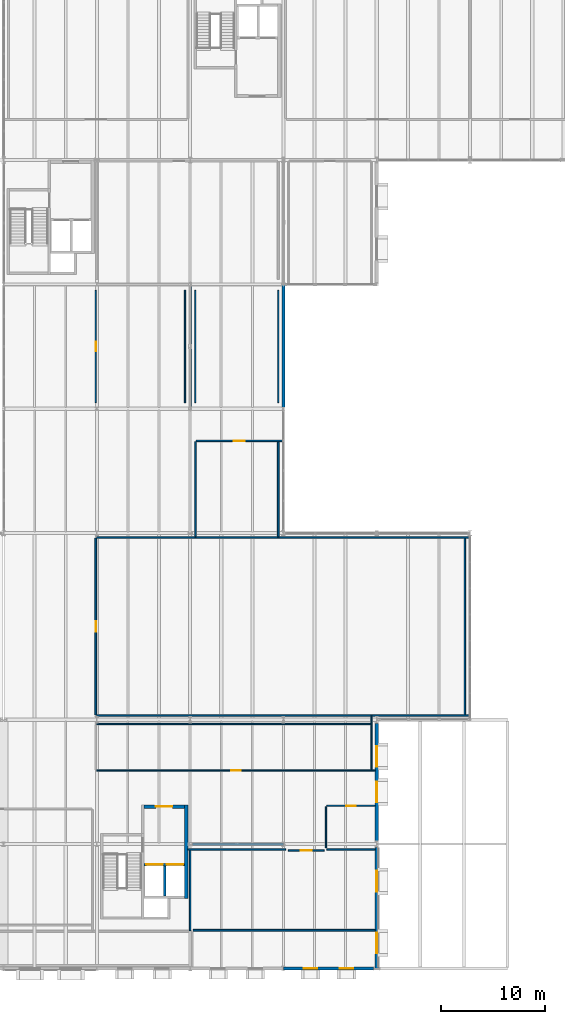
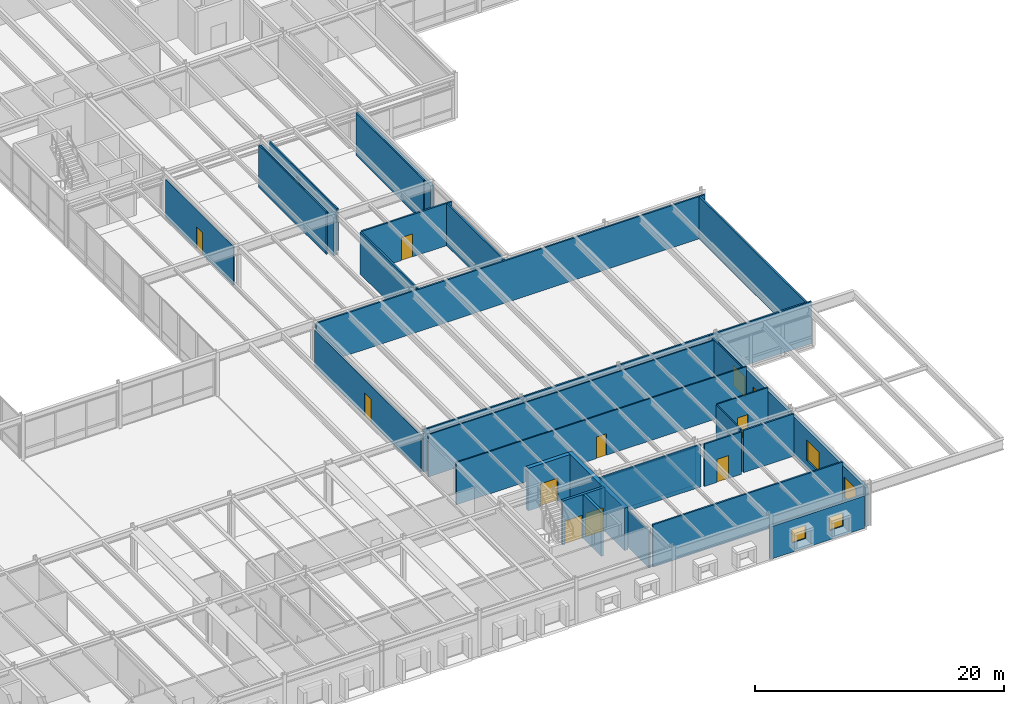
# One storey, part 106 of 115: 31 walls, 9 doors, 6 windows, 15 openings.
"""IFC4 building model written with IfcOpenShell, lengths in metres."""

from ifc_helpers import new_model, si_unit, direction, frame, frame_2d, origin, place, context, subcontext, project, spatial, rectangle, extrude, material, layer, layer_set, type_object, element, fill, save


model = new_model("IFC4")

# Units and contexts
model_context = context("Model", 3, precision=1e-05, world=origin(), true_north=direction((0.0, 1.0)))
body_context = subcontext(model_context, "Body", "Model", "MODEL_VIEW")
ifc_project = project(units=[si_unit("LENGTHUNIT", "METRE"), si_unit("AREAUNIT", "SQUARE_METRE"), si_unit("VOLUMEUNIT", "CUBIC_METRE"), si_unit("PLANEANGLEUNIT", "RADIAN"), si_unit("MASSUNIT", "GRAM", prefix="KILO")], contexts=[model_context])

# Site, building, storey
site_placement = place(None, origin())
site = spatial("IfcSite", under=ifc_project, at=site_placement, CompositionType="ELEMENT")
building_placement = place(site_placement, origin())
building = spatial("IfcBuilding", under=site, at=building_placement, Name="Montelvaro Courts of Justice", CompositionType="ELEMENT")
storey_placement = place(building_placement, frame((0.0, 0.0, 9.89990234375)))
storey = spatial("IfcBuildingStorey", under=building, at=storey_placement, Name="L02", CompositionType="ELEMENT", Elevation=9.89990234375)

# Wall
ifc_material_1 = material(Name="Gypsum board on metal stud")
ifc_layer_1 = layer(ifc_material_1, 0.14990234375)
ifc_layer_set_1 = layer_set([ifc_layer_1], Name="Gypsum board on metal stud")
wall_type_1 = type_object("IfcWallType", Name="ChambersPartition_150", PredefinedType="PARTITIONING", material=ifc_layer_set_1)
wall_1_placement = place(storey_placement, frame((143.925048828125, 24.39990234375, 0.0), z_axis=(0.0, 0.0, 1.0), x_axis=(-1.0, 0.0, 0.0)))
element("IfcWall", 1, at=wall_1_placement, inside=storey, type_object=wall_type_1, Name="Interior Partition IW-04 (L02)", PredefinedType="PARTITIONING", context=body_context, shape_type="SweptSolid", body=[
    extrude(rectangle(XDim=35.945068359375, YDim=0.14990234375, at=frame_2d((17.97265625, 0.0))), origin(), (0.0, 0.0, 1.0), 4.14013671875),
])

# Wall, opening, door
wall_2_placement = place(storey_placement, frame((107.89990234375, 24.47998046875, 0.0), z_axis=(0.0, 0.0, 1.0), x_axis=(0.0, 1.0, 0.0)))
wall_2 = element("IfcWall", 2, at=wall_2_placement, inside=storey, type_object=wall_type_1, Name="Interior Partition IW-04 (L02)", PredefinedType="PARTITIONING", context=body_context, shape_type="SweptSolid", body=[
    extrude(rectangle(XDim=17.0400390625, YDim=0.14990234375, at=frame_2d((8.52001953125, 0.0))), origin(), (0.0, 0.0, 1.0), 3.545166015625),
])
opening_1_placement = place(wall_2_placement, frame((7.9951171875, 0.0, 0.0)))
opening_1 = element("IfcOpeningElement", 3, at=opening_1_placement, cuts=wall_2, Name="Opening D-L02-093", PredefinedType="OPENING", context=body_context, shape_type="SweptSolid", body=[
    extrude(rectangle(XDim=1.050048828125, YDim=2.25, at=frame_2d((0.52490234375, 1.125))), frame((0.0, 0.08984375, 0.0), z_axis=(0.0, -1.0, 0.0), x_axis=(1.0, 0.0, 0.0)), (0.0, 0.0, 1.0), 0.1796875),
])
ifc_material_2 = material(Name="Acoustic oak timber veneer", Category="wood")
door_type_1 = type_object("IfcDoorType", Name="ChamberDoor_105x225", OperationType="NOTDEFINED", PredefinedType="DOOR", material=ifc_material_2)
door_1_placement = place(opening_1_placement, frame((1.050048828125, 0.0, 0.0), z_axis=(0.0, 0.0, 1.0), x_axis=(-1.0, 0.0, 0.0)))
door_1 = element("IfcDoor", 4, at=door_1_placement, inside=storey, type_object=door_type_1, Name="Interior Door D-L02-093 (Family Mediation Suite L02)", OperationType="SINGLE_SWING_LEFT", OverallHeight=2.25, OverallWidth=1.050048828125, PredefinedType="DOOR", context=body_context, shape_type="SweptSolid", body=[
    extrude(rectangle(XDim=1.050048828125, YDim=2.25, at=frame_2d((0.52490234375, 1.125))), frame((0.0, 0.02490234375, 0.0), z_axis=(0.0, -1.0, 0.0), x_axis=(1.0, 0.0, 0.0)), (0.0, 0.0, 1.0), 0.050048828125),
])
fill(opening_1, door_1)

# Walls
wall_3_placement = place(storey_placement, frame((107.97998046875, 41.60009765625, 0.0), z_axis=(0.0, 0.0, 1.0), x_axis=(1.0, 0.0, 0.0)))
element("IfcWall", 5, at=wall_3_placement, inside=storey, type_object=wall_type_1, Name="Interior Partition IW-04 (L02)", PredefinedType="PARTITIONING", context=body_context, shape_type="SweptSolid", body=[
    extrude(rectangle(XDim=36.011962890625, YDim=0.14990234375, at=frame_2d((18.005859375, 0.0))), origin(), (0.0, 0.0, 1.0), 4.14013671875),
])
wall_4_placement = place(storey_placement, frame((143.5, 41.530029296875, 0.0), z_axis=(0.0, 0.0, 1.0), x_axis=(0.0, -1.0, 0.0)))
element("IfcWall", 6, at=wall_4_placement, inside=storey, type_object=wall_type_1, Name="Interior Partition IW-04 (L02)", PredefinedType="PARTITIONING", context=body_context, shape_type="SweptSolid", body=[
    extrude(rectangle(XDim=17.06005859375, YDim=0.14990234375, at=frame_2d((8.530029296875, 0.0))), origin(), (0.0, 0.0, 1.0), 4.14013671875),
])
for number, where, z_axis, x_axis, name in (
    (7, (125.5, 50.820068359375, 0.0), (0.0, 0.0, 1.0), (0.0, -1.0, 0.0), "Interior Partition IW-04 (L02)"),
    (8, (117.5, 41.669921875, 0.0), (0.0, 0.0, 1.0), (0.0, 1.0, 0.0), "Interior Partition IW-04 (L02)"),
):
    element("IfcWall", number, at=place(storey_placement, frame(where, z_axis=z_axis, x_axis=x_axis)), inside=storey, type_object=wall_type_1, Name=name, PredefinedType="PARTITIONING", context=body_context, shape_type="SweptSolid", body=[
        extrude(rectangle(XDim=9.150146484375, YDim=0.14990234375, at=frame_2d((4.5751953125, 0.0))), origin(), (0.0, 0.0, 1.0), 4.14013671875),
    ])

# Wall, opening, door
wall_5_placement = place(storey_placement, frame((117.580078125, 50.89990234375, 0.0), z_axis=(0.0, 0.0, 1.0), x_axis=(1.0, 0.0, 0.0)))
wall_5 = element("IfcWall", 9, at=wall_5_placement, inside=storey, type_object=wall_type_1, Name="Interior Partition IW-04 (L02)", PredefinedType="PARTITIONING", context=body_context, shape_type="SweptSolid", body=[
    extrude(rectangle(XDim=8.344970703125, YDim=0.14990234375, at=frame_2d((4.17236328125, 0.0))), origin(), (0.0, 0.0, 1.0), 4.14013671875),
])
opening_2_placement = place(wall_5_placement, frame((3.64697265625, 0.0, 0.0)))
opening_2 = element("IfcOpeningElement", 10, at=opening_2_placement, cuts=wall_5, Name="Opening D-L02-095", PredefinedType="OPENING", context=body_context, shape_type="SweptSolid", body=[
    extrude(rectangle(XDim=1.050048828125, YDim=2.25, at=frame_2d((0.52490234375, 1.125))), frame((0.0, 0.08984375, 0.0), z_axis=(0.0, -1.0, 0.0), x_axis=(1.0, 0.0, 0.0)), (0.0, 0.0, 1.0), 0.1796875),
])
door_2_placement = place(opening_2_placement, frame((1.050048828125, 0.0, 0.0), z_axis=(0.0, 0.0, 1.0), x_axis=(-1.0, 0.0, 0.0)))
door_2 = element("IfcDoor", 11, at=door_2_placement, inside=storey, type_object=door_type_1, Name="Interior Door D-L02-095 (Bar Association Robing Room L02)", OperationType="SINGLE_SWING_LEFT", OverallHeight=2.25, OverallWidth=1.050048828125, PredefinedType="DOOR", context=body_context, shape_type="SweptSolid", body=[
    extrude(rectangle(XDim=1.050048828125, YDim=2.25, at=frame_2d((0.52490234375, 1.125))), frame((0.0, 0.02490234375, 0.0), z_axis=(0.0, -1.0, 0.0), x_axis=(1.0, 0.0, 0.0)), (0.0, 0.0, 1.0), 0.050048828125),
])
fill(opening_2, door_2)

# Walls
wall_6_placement = place(storey_placement, frame((130.179931640625, 11.5, 0.0), z_axis=(0.0, 0.0, 1.0), x_axis=(1.0, 0.0, 0.0)))
element("IfcWall", 12, at=wall_6_placement, inside=storey, type_object=wall_type_1, Name="Interior Partition IW-04 (L02)", PredefinedType="PARTITIONING", context=body_context, shape_type="SweptSolid", body=[
    extrude(rectangle(XDim=4.675048828125, YDim=0.14990234375, at=frame_2d((2.33740234375, 0.0))), origin(), (0.0, 0.0, 1.0), 4.14013671875),
])
wall_7_placement = place(storey_placement, frame((134.85498046875, 3.699951171875, 0.0), z_axis=(0.0, 0.0, 1.0), x_axis=(-1.0, 0.0, 0.0)))
element("IfcWall", 13, at=wall_7_placement, inside=storey, type_object=wall_type_1, Name="Interior Partition IW-04 (L02)", PredefinedType="PARTITIONING", context=body_context, shape_type="SweptSolid", body=[
    extrude(rectangle(XDim=17.574951171875, YDim=0.14990234375, at=frame_2d((8.78759765625, 0.0))), origin(), (0.0, 0.0, 1.0), 4.14013671875),
])
wall_8_placement = place(storey_placement, frame((117.0, 3.669921875, 0.0), z_axis=(0.0, 0.0, 1.0), x_axis=(0.0, 1.0, 0.0)))
element("IfcWall", 14, at=wall_8_placement, inside=storey, type_object=wall_type_1, Name="Interior Partition IW-04 (L02)", PredefinedType="PARTITIONING", context=body_context, shape_type="SweptSolid", body=[
    extrude(rectangle(XDim=7.75, YDim=0.14990234375, at=frame_2d((3.875, 0.0))), origin(), (0.0, 0.0, 1.0), 3.625),
])
wall_9_placement = place(storey_placement, frame((116.794921875, 11.5, 0.0), z_axis=(0.0, 0.0, 1.0), x_axis=(1.0, 0.0, 0.0)))
element("IfcWall", 15, at=wall_9_placement, inside=storey, type_object=wall_type_1, Name="Interior Partition IW-04 (L02)", PredefinedType="PARTITIONING", context=body_context, shape_type="SweptSolid", body=[
    extrude(rectangle(XDim=9.425048828125, YDim=0.14990234375, at=frame_2d((4.71240234375, 0.0))), origin(), (0.0, 0.0, 1.0), 4.14013671875),
])

# Wall, opening, door
wall_10_placement = place(storey_placement, frame((126.47998046875, 11.39990234375, 0.0), z_axis=(0.0, 0.0, 1.0), x_axis=(1.0, 0.0, 0.0)))
wall_10 = element("IfcWall", 16, at=wall_10_placement, inside=storey, type_object=wall_type_1, Name="Interior Partition IW-04 (L02)", PredefinedType="PARTITIONING", context=body_context, shape_type="SweptSolid", body=[
    extrude(rectangle(XDim=3.43994140625, YDim=0.14990234375, at=frame_2d((1.719970703125, 0.0))), origin(), (0.0, 0.0, 1.0), 4.14013671875),
])
opening_3_placement = place(wall_10_placement, frame((1.195068359375, 0.0, 0.0)))
opening_3 = element("IfcOpeningElement", 17, at=opening_3_placement, cuts=wall_10, Name="Opening D-L02-100", PredefinedType="OPENING", context=body_context, shape_type="SweptSolid", body=[
    extrude(rectangle(XDim=1.050048828125, YDim=2.25, at=frame_2d((0.52490234375, 1.125))), frame((0.0, 0.08984375, 0.0), z_axis=(0.0, -1.0, 0.0), x_axis=(1.0, 0.0, 0.0)), (0.0, 0.0, 1.0), 0.1796875),
])
door_3_placement = place(opening_3_placement, origin())
door_3 = element("IfcDoor", 18, at=door_3_placement, inside=storey, type_object=door_type_1, Name="Interior Door D-L02-100 (Civil Magistrates' Chambers L02)", OperationType="SINGLE_SWING_LEFT", OverallHeight=2.25, OverallWidth=1.050048828125, PredefinedType="DOOR", context=body_context, shape_type="SweptSolid", body=[
    extrude(rectangle(XDim=1.050048828125, YDim=2.25, at=frame_2d((0.52490234375, 1.125))), frame((0.0, 0.02490234375, 0.0), z_axis=(0.0, -1.0, 0.0), x_axis=(1.0, 0.0, 0.0)), (0.0, 0.0, 1.0), 0.050048828125),
])
fill(opening_3, door_3)

ifc_material_3 = material(Name="Concrete C40/50", Category="concrete")
ifc_layer_2 = layer(ifc_material_3, 0.360107421875)
ifc_layer_set_2 = layer_set([ifc_layer_2], Name="Concrete C40/50")
wall_type_2 = type_object("IfcWallType", Name="CoreWall_360", PredefinedType="SHEAR", material=ifc_layer_set_2)
wall_11_placement = place(storey_placement, frame((112.5400390625, 15.6201171875, 0.0), z_axis=(0.0, 0.0, 1.0), x_axis=(1.0, 0.0, 0.0)))
wall_11 = element("IfcWall", 19, at=wall_11_placement, inside=storey, type_object=wall_type_2, Name="Core Shear Wall CW-01 K2-N (L02)", PredefinedType="SHEAR", context=body_context, shape_type="SweptSolid", body=[
    extrude(rectangle(XDim=3.89990234375, YDim=0.360107421875, at=frame_2d((1.949951171875, 0.0))), origin(), (0.0, 0.0, 1.0), 4.16015625),
])
opening_4_placement = place(wall_11_placement, frame((1.14990234375, 0.0, 0.0)))
opening_4 = element("IfcOpeningElement", 20, at=opening_4_placement, cuts=wall_11, Name="Opening DL-L02-K2", PredefinedType="OPENING", context=body_context, shape_type="SweptSolid", body=[
    extrude(rectangle(XDim=1.60009765625, YDim=2.25, at=frame_2d((0.800048828125, 1.125))), frame((0.0, 0.19482421875, 0.0), z_axis=(0.0, -1.0, 0.0), x_axis=(1.0, 0.0, 0.0)), (0.0, 0.0, 1.0), 0.389892578125),
])
ifc_material_4 = material(Name="Galvanised steel S355 security door", Category="steel")
door_type_2 = type_object("IfcDoorType", Name="LobbyFireDoor_160x225", OperationType="DOUBLE_DOOR_SINGLE_SWING", PredefinedType="DOOR", material=ifc_material_4)
door_4_placement = place(opening_4_placement, origin())
door_4 = element("IfcDoor", 21, at=door_4_placement, inside=storey, type_object=door_type_2, Name="Core Lobby Fire Door DL-L02-K2", OperationType="DOUBLE_DOOR_SINGLE_SWING", OverallHeight=2.25, OverallWidth=1.60009765625, PredefinedType="DOOR", context=body_context, shape_type="SweptSolid", body=[
    extrude(rectangle(XDim=1.60009765625, YDim=2.25, at=frame_2d((0.800048828125, 1.125))), frame((0.0, 0.02490234375, 0.0), z_axis=(0.0, -1.0, 0.0), x_axis=(1.0, 0.0, 0.0)), (0.0, 0.0, 1.0), 0.050048828125),
])
fill(opening_4, door_4)

# Walls
wall_12_placement = place(storey_placement, frame((116.6201171875, 6.760009765625, 0.0), z_axis=(0.0, 0.0, 1.0), x_axis=(0.0, 1.0, 0.0)))
element("IfcWall", 22, at=wall_12_placement, inside=storey, type_object=wall_type_2, Name="Core Shear Wall CW-01 K2-E (L02)", PredefinedType="SHEAR", context=body_context, shape_type="SweptSolid", body=[
    extrude(rectangle(XDim=9.0400390625, YDim=0.360107421875, at=frame_2d((4.52001953125, 0.0))), origin(), (0.0, 0.0, 1.0), 4.16015625),
])
ifc_material_5 = material(Name="White mineral precast concrete C45/55", Category="concrete")
ifc_layer_3 = layer(ifc_material_5, 0.300048828125)
ifc_layer_set_3 = layer_set([ifc_layer_3], Name="White mineral precast concrete C45/55")
wall_type_3 = type_object("IfcWallType", Name="ExtWall_GFRC_300", PredefinedType="SOLIDWALL", material=ifc_layer_set_3)
wall_13_placement = place(storey_placement, frame((126.0, 54.137939453125, 0.0), z_axis=(0.0, 0.0, 1.0), x_axis=(0.0, 1.0, 0.0)))
element("IfcWall", 23, at=wall_13_placement, inside=storey, type_object=wall_type_3, Name="Exterior Facade Wall EW-02 (L02)", PredefinedType="SOLIDWALL", context=body_context, shape_type="SweptSolid", body=[
    extrude(rectangle(XDim=11.85400390625, YDim=0.300048828125, at=frame_2d((5.927001953125, 0.0))), origin(), (0.0, 0.0, 1.0), 3.695068359375),
])

# Wall, openings, windows
wall_14_placement = place(storey_placement, frame((126.008056640625, 0.0, 0.0), z_axis=(0.0, 0.0, 1.0), x_axis=(1.0, 0.0, 0.0)))
wall_14 = element("IfcWall", 24, at=wall_14_placement, inside=storey, type_object=wall_type_3, Name="Exterior Facade Wall EW-02 (L02)", PredefinedType="SOLIDWALL", context=body_context, shape_type="SweptSolid", body=[
    extrude(rectangle(XDim=8.683837890625, YDim=0.300048828125, at=frame_2d((4.341796875, 0.0))), origin(), (0.0, 0.0, 1.0), 3.1669921875),
])
opening_5_placement = place(wall_14_placement, frame((1.955078125, 0.0, 0.89990234375)))
opening_5 = element("IfcOpeningElement", 25, at=opening_5_placement, cuts=wall_14, Name="Opening WE-18", PredefinedType="OPENING", context=body_context, shape_type="SweptSolid", body=[
    extrude(rectangle(XDim=1.300048828125, YDim=1.300048828125, at=frame_2d((0.64990234375, 0.64990234375))), frame((0.0, 0.1650390625, 0.0), z_axis=(0.0, -1.0, 0.0), x_axis=(1.0, 0.0, 0.0)), (0.0, 0.0, 1.0), 0.329833984375),
])
opening_6_placement = place(wall_14_placement, frame((5.428955078125, 0.0, 0.89990234375)))
opening_6 = element("IfcOpeningElement", 26, at=opening_6_placement, cuts=wall_14, Name="Opening WE-18", PredefinedType="OPENING", context=body_context, shape_type="SweptSolid", body=[
    extrude(rectangle(XDim=1.300048828125, YDim=1.300048828125, at=frame_2d((0.64990234375, 0.64990234375))), frame((0.0, 0.1650390625, 0.0), z_axis=(0.0, -1.0, 0.0), x_axis=(1.0, 0.0, 0.0)), (0.0, 0.0, 1.0), 0.329833984375),
])
ifc_material_6 = material(Name="Low-E solar control double glazing", Category="glass")
window_type_1 = type_object("IfcWindowType", Name="Win_Sq_130x130", PartitioningType="SINGLE_PANEL", PredefinedType="WINDOW", material=ifc_material_6)
window_1_placement = place(opening_5_placement, origin())
window_1 = element("IfcWindow", 27, at=window_1_placement, inside=storey, type_object=window_type_1, Name="Window W-L02-131", OverallHeight=1.300048828125, OverallWidth=1.300048828125, PartitioningType="SINGLE_PANEL", PredefinedType="WINDOW", context=body_context, shape_type="SweptSolid", body=[
    extrude(rectangle(XDim=1.300048828125, YDim=1.300048828125, at=frame_2d((0.64990234375, 0.64990234375))), frame((0.0, 0.030029296875, 0.0), z_axis=(0.0, -1.0, 0.0), x_axis=(1.0, 0.0, 0.0)), (0.0, 0.0, 1.0), 0.06005859375),
])
fill(opening_5, window_1)
window_2_placement = place(opening_6_placement, origin())
window_2 = element("IfcWindow", 28, at=window_2_placement, inside=storey, type_object=window_type_1, Name="Window W-L02-132", OverallHeight=1.300048828125, OverallWidth=1.300048828125, PartitioningType="SINGLE_PANEL", PredefinedType="WINDOW", context=body_context, shape_type="SweptSolid", body=[
    extrude(rectangle(XDim=1.300048828125, YDim=1.300048828125, at=frame_2d((0.64990234375, 0.64990234375))), frame((0.0, 0.030029296875, 0.0), z_axis=(0.0, -1.0, 0.0), x_axis=(1.0, 0.0, 0.0)), (0.0, 0.0, 1.0), 0.06005859375),
])
fill(opening_6, window_2)

wall_15_placement = place(storey_placement, frame((135.0, 0.008056640625, 0.0), z_axis=(0.0, 0.0, 1.0), x_axis=(0.0, 1.0, 0.0)))
wall_15 = element("IfcWall", 29, at=wall_15_placement, inside=storey, type_object=wall_type_3, Name="Exterior Facade Wall EW-02 (L02)", PredefinedType="SOLIDWALL", context=body_context, shape_type="SweptSolid", body=[
    extrude(rectangle(XDim=11.683837890625, YDim=0.300048828125, at=frame_2d((5.841796875, 0.0))), origin(), (0.0, 0.0, 1.0), 3.8251953125),
])
opening_7_placement = place(wall_15_placement, frame((1.451904296875, 0.0, 0.800048828125)))
opening_7 = element("IfcOpeningElement", 30, at=opening_7_placement, cuts=wall_15, Name="Opening WE-11", PredefinedType="OPENING", context=body_context, shape_type="SweptSolid", body=[
    extrude(rectangle(XDim=2.0, YDim=2.0, at=frame_2d((1.0, 1.0))), frame((0.0, 0.1650390625, 0.0), z_axis=(0.0, -1.0, 0.0), x_axis=(1.0, 0.0, 0.0)), (0.0, 0.0, 1.0), 0.329833984375),
])
opening_8_placement = place(wall_15_placement, frame((7.412109375, 0.0, 0.800048828125)))
opening_8 = element("IfcOpeningElement", 31, at=opening_8_placement, cuts=wall_15, Name="Opening WE-11", PredefinedType="OPENING", context=body_context, shape_type="SweptSolid", body=[
    extrude(rectangle(XDim=2.0, YDim=2.0, at=frame_2d((1.0, 1.0))), frame((0.0, 0.1650390625, 0.0), z_axis=(0.0, -1.0, 0.0), x_axis=(1.0, 0.0, 0.0)), (0.0, 0.0, 1.0), 0.329833984375),
])
window_type_2 = type_object("IfcWindowType", Name="Win_Sq_200x200", PartitioningType="SINGLE_PANEL", PredefinedType="WINDOW", material=ifc_material_6)
window_3_placement = place(opening_7_placement, origin())
window_3 = element("IfcWindow", 32, at=window_3_placement, inside=storey, type_object=window_type_2, Name="Window W-L02-133", OverallHeight=2.0, OverallWidth=2.0, PartitioningType="SINGLE_PANEL", PredefinedType="WINDOW", context=body_context, shape_type="SweptSolid", body=[
    extrude(rectangle(XDim=2.0, YDim=2.0, at=frame_2d((1.0, 1.0))), frame((0.0, 0.030029296875, 0.0), z_axis=(0.0, -1.0, 0.0), x_axis=(1.0, 0.0, 0.0)), (0.0, 0.0, 1.0), 0.06005859375),
])
fill(opening_7, window_3)
window_4_placement = place(opening_8_placement, origin())
window_4 = element("IfcWindow", 33, at=window_4_placement, inside=storey, type_object=window_type_2, Name="Window W-L02-134", OverallHeight=2.0, OverallWidth=2.0, PartitioningType="SINGLE_PANEL", PredefinedType="WINDOW", context=body_context, shape_type="SweptSolid", body=[
    extrude(rectangle(XDim=2.0, YDim=2.0, at=frame_2d((1.0, 1.0))), frame((0.0, 0.030029296875, 0.0), z_axis=(0.0, -1.0, 0.0), x_axis=(1.0, 0.0, 0.0)), (0.0, 0.0, 1.0), 0.06005859375),
])
fill(opening_8, window_4)

wall_16_placement = place(storey_placement, frame((135.0, 12.30810546875, 0.0), z_axis=(0.0, 0.0, 1.0), x_axis=(0.0, 1.0, 0.0)))
wall_16 = element("IfcWall", 34, at=wall_16_placement, inside=storey, type_object=wall_type_3, Name="Exterior Facade Wall EW-02 (L02)", PredefinedType="SOLIDWALL", context=body_context, shape_type="SweptSolid", body=[
    extrude(rectangle(XDim=11.3359375, YDim=0.300048828125, at=frame_2d((5.66796875, 0.0))), origin(), (0.0, 0.0, 1.0), 3.8251953125),
])
opening_9_placement = place(wall_16_placement, frame((3.73193359375, 0.0, 0.800048828125)))
opening_9 = element("IfcOpeningElement", 35, at=opening_9_placement, cuts=wall_16, Name="Opening WE-11", PredefinedType="OPENING", context=body_context, shape_type="SweptSolid", body=[
    extrude(rectangle(XDim=2.0, YDim=2.0, at=frame_2d((1.0, 1.0))), frame((0.0, 0.1650390625, 0.0), z_axis=(0.0, -1.0, 0.0), x_axis=(1.0, 0.0, 0.0)), (0.0, 0.0, 1.0), 0.329833984375),
])
opening_10_placement = place(wall_16_placement, frame((7.162109375, 0.0, 0.800048828125)))
opening_10 = element("IfcOpeningElement", 36, at=opening_10_placement, cuts=wall_16, Name="Opening WE-11", PredefinedType="OPENING", context=body_context, shape_type="SweptSolid", body=[
    extrude(rectangle(XDim=2.0, YDim=2.0, at=frame_2d((1.0, 1.0))), frame((0.0, 0.1650390625, 0.0), z_axis=(0.0, -1.0, 0.0), x_axis=(1.0, 0.0, 0.0)), (0.0, 0.0, 1.0), 0.329833984375),
])
window_5_placement = place(opening_9_placement, origin())
window_5 = element("IfcWindow", 37, at=window_5_placement, inside=storey, type_object=window_type_2, Name="Window W-L02-135", OverallHeight=2.0, OverallWidth=2.0, PartitioningType="SINGLE_PANEL", PredefinedType="WINDOW", context=body_context, shape_type="SweptSolid", body=[
    extrude(rectangle(XDim=2.0, YDim=2.0, at=frame_2d((1.0, 1.0))), frame((0.0, 0.030029296875, 0.0), z_axis=(0.0, -1.0, 0.0), x_axis=(1.0, 0.0, 0.0)), (0.0, 0.0, 1.0), 0.06005859375),
])
fill(opening_9, window_5)
window_6_placement = place(opening_10_placement, origin())
window_6 = element("IfcWindow", 38, at=window_6_placement, inside=storey, type_object=window_type_2, Name="Window W-L02-136", OverallHeight=2.0, OverallWidth=2.0, PartitioningType="SINGLE_PANEL", PredefinedType="WINDOW", context=body_context, shape_type="SweptSolid", body=[
    extrude(rectangle(XDim=2.0, YDim=2.0, at=frame_2d((1.0, 1.0))), frame((0.0, 0.030029296875, 0.0), z_axis=(0.0, -1.0, 0.0), x_axis=(1.0, 0.0, 0.0)), (0.0, 0.0, 1.0), 0.06005859375),
])
fill(opening_10, window_6)

# Wall
ifc_layer_4 = layer(ifc_material_1, 0.1201171875)
ifc_layer_set_4 = layer_set([ifc_layer_4], Name="Gypsum board on metal stud")
wall_type_4 = type_object("IfcWallType", Name="OfficePartition_120", PredefinedType="PARTITIONING", material=ifc_layer_set_4)
wall_17_placement = place(storey_placement, frame((116.5, 65.419921875, 0.0), z_axis=(0.0, 0.0, 1.0), x_axis=(0.0, -1.0, 0.0)))
element("IfcWall", 39, at=wall_17_placement, inside=storey, type_object=wall_type_4, Name="Interior Partition IW-05 (L02)", PredefinedType="PARTITIONING", context=body_context, shape_type="SweptSolid", body=[
    extrude(rectangle(XDim=10.83984375, YDim=0.1201171875, at=frame_2d((5.419921875, 0.0))), origin(), (0.0, 0.0, 1.0), 4.14013671875),
])

# Wall, opening, door
wall_18_placement = place(storey_placement, frame((107.89990234375, 54.580078125, 0.0), z_axis=(0.0, 0.0, 1.0), x_axis=(0.0, 1.0, 0.0)))
wall_18 = element("IfcWall", 40, at=wall_18_placement, inside=storey, type_object=wall_type_4, Name="Interior Partition IW-05 (L02)", PredefinedType="PARTITIONING", context=body_context, shape_type="SweptSolid", body=[
    extrude(rectangle(XDim=10.83984375, YDim=0.1201171875, at=frame_2d((5.419921875, 0.0))), origin(), (0.0, 0.0, 1.0), 3.80517578125),
])
opening_11_placement = place(wall_18_placement, frame((4.945068359375, 0.0, 0.0)))
opening_11 = element("IfcOpeningElement", 41, at=opening_11_placement, cuts=wall_18, Name="Opening D-L02-094", PredefinedType="OPENING", context=body_context, shape_type="SweptSolid", body=[
    extrude(rectangle(XDim=0.949951171875, YDim=2.14990234375, at=frame_2d((0.47509765625, 1.074951171875))), frame((0.0, 0.074951171875, 0.0), z_axis=(0.0, -1.0, 0.0), x_axis=(1.0, 0.0, 0.0)), (0.0, 0.0, 1.0), 0.14990234375),
])
door_type_3 = type_object("IfcDoorType", Name="OfficeDoor_095x215", OperationType="NOTDEFINED", PredefinedType="DOOR", material=ifc_material_2)
door_5_placement = place(opening_11_placement, origin())
door_5 = element("IfcDoor", 42, at=door_5_placement, inside=storey, type_object=door_type_3, Name="Interior Door D-L02-094 (Advocates' College Consultation Suite)", OperationType="SINGLE_SWING_RIGHT", OverallHeight=2.14990234375, OverallWidth=0.949951171875, PredefinedType="DOOR", context=body_context, shape_type="SweptSolid", body=[
    extrude(rectangle(XDim=0.949951171875, YDim=2.14990234375, at=frame_2d((0.47509765625, 1.074951171875))), frame((0.0, 0.02490234375, 0.0), z_axis=(0.0, -1.0, 0.0), x_axis=(1.0, 0.0, 0.0)), (0.0, 0.0, 1.0), 0.050048828125),
])
fill(opening_11, door_5)

# Walls
for number, where, z_axis, x_axis, name in (
    (43, (125.5, 65.419921875, 0.0), (0.0, 0.0, 1.0), (0.0, -1.0, 0.0), "Interior Partition IW-05 (L02)"),
    (44, (117.5, 54.580078125, 0.0), (0.0, 0.0, 1.0), (0.0, 1.0, 0.0), "Interior Partition IW-05 (L02)"),
):
    element("IfcWall", number, at=place(storey_placement, frame(where, z_axis=z_axis, x_axis=x_axis)), inside=storey, type_object=wall_type_4, Name=name, PredefinedType="PARTITIONING", context=body_context, shape_type="SweptSolid", body=[
        extrude(rectangle(XDim=10.83984375, YDim=0.1201171875, at=frame_2d((5.419921875, 0.0))), origin(), (0.0, 0.0, 1.0), 4.14013671875),
    ])
wall_19_placement = place(storey_placement, frame((134.5, 24.330078125, 0.0), z_axis=(0.0, 0.0, 1.0), x_axis=(0.0, -1.0, 0.0)))
element("IfcWall", 45, at=wall_19_placement, inside=storey, type_object=wall_type_4, Name="Interior Partition IW-05 (L02)", PredefinedType="PARTITIONING", context=body_context, shape_type="SweptSolid", body=[
    extrude(rectangle(XDim=5.150146484375, YDim=0.1201171875, at=frame_2d((2.5751953125, 0.0))), origin(), (0.0, 0.0, 1.0), 4.14013671875),
])

# Wall, opening, door
wall_20_placement = place(storey_placement, frame((134.85498046875, 19.10009765625, 0.0), z_axis=(0.0, 0.0, 1.0), x_axis=(-1.0, 0.0, 0.0)))
wall_20 = element("IfcWall", 46, at=wall_20_placement, inside=storey, type_object=wall_type_4, Name="Interior Partition IW-05 (L02)", PredefinedType="PARTITIONING", context=body_context, shape_type="SweptSolid", body=[
    extrude(rectangle(XDim=26.875, YDim=0.1201171875, at=frame_2d((13.4375, 0.0))), origin(), (0.0, 0.0, 1.0), 4.14013671875),
])
opening_12_placement = place(wall_20_placement, frame((12.988037109375, 0.0, 0.0)))
opening_12 = element("IfcOpeningElement", 47, at=opening_12_placement, cuts=wall_20, Name="Opening D-L02-099", PredefinedType="OPENING", context=body_context, shape_type="SweptSolid", body=[
    extrude(rectangle(XDim=0.89990234375, YDim=2.10009765625, at=frame_2d((0.449951171875, 1.050048828125))), frame((0.0, 0.074951171875, 0.0), z_axis=(0.0, -1.0, 0.0), x_axis=(1.0, 0.0, 0.0)), (0.0, 0.0, 1.0), 0.14990234375),
])
door_type_4 = type_object("IfcDoorType", Name="OfficeDoor_090x210", OperationType="NOTDEFINED", PredefinedType="DOOR", material=ifc_material_2)
door_6_placement = place(opening_12_placement, frame((0.89990234375, 0.0, 0.0), z_axis=(0.0, 0.0, 1.0), x_axis=(-1.0, 0.0, 0.0)))
door_6 = element("IfcDoor", 48, at=door_6_placement, inside=storey, type_object=door_type_4, Name="Interior Door D-L02-099 (Civil Clerks' Office East L02)", OperationType="SINGLE_SWING_RIGHT", OverallHeight=2.10009765625, OverallWidth=0.89990234375, PredefinedType="DOOR", context=body_context, shape_type="SweptSolid", body=[
    extrude(rectangle(XDim=0.89990234375, YDim=2.10009765625, at=frame_2d((0.449951171875, 1.050048828125))), frame((0.0, 0.02490234375, 0.0), z_axis=(0.0, -1.0, 0.0), x_axis=(1.0, 0.0, 0.0)), (0.0, 0.0, 1.0), 0.050048828125),
])
fill(opening_12, door_6)

# Walls
wall_21_placement = place(storey_placement, frame((107.97998046875, 23.60009765625, 0.0), z_axis=(0.0, 0.0, 1.0), x_axis=(1.0, 0.0, 0.0)))
element("IfcWall", 49, at=wall_21_placement, inside=storey, type_object=wall_type_4, Name="Interior Partition IW-05 (L02)", PredefinedType="PARTITIONING", context=body_context, shape_type="SweptSolid", body=[
    extrude(rectangle(XDim=26.465087890625, YDim=0.1201171875, at=frame_2d((13.232421875, 0.0))), origin(), (0.0, 0.0, 1.0), 4.14013671875),
])
wall_22_placement = place(storey_placement, frame((130.10009765625, 11.679931640625, 0.0), z_axis=(0.0, 0.0, 1.0), x_axis=(0.0, 1.0, 0.0)))
element("IfcWall", 50, at=wall_22_placement, inside=storey, type_object=wall_type_4, Name="Interior Partition IW-05 (L02)", PredefinedType="PARTITIONING", context=body_context, shape_type="SweptSolid", body=[
    extrude(rectangle(XDim=3.940185546875, YDim=0.1201171875, at=frame_2d((1.97021484375, 0.0))), origin(), (0.0, 0.0, 1.0), 4.14013671875),
])

# Wall, opening, door
wall_23_placement = place(storey_placement, frame((130.179931640625, 15.699951171875, 0.0), z_axis=(0.0, 0.0, 1.0), x_axis=(1.0, 0.0, 0.0)))
wall_23 = element("IfcWall", 51, at=wall_23_placement, inside=storey, type_object=wall_type_4, Name="Interior Partition IW-05 (L02)", PredefinedType="PARTITIONING", context=body_context, shape_type="SweptSolid", body=[
    extrude(rectangle(XDim=4.675048828125, YDim=0.1201171875, at=frame_2d((2.33740234375, 0.0))), origin(), (0.0, 0.0, 1.0), 4.14013671875),
])
opening_13_placement = place(wall_23_placement, frame((1.862060546875, 0.0, 0.0)))
opening_13 = element("IfcOpeningElement", 52, at=opening_13_placement, cuts=wall_23, Name="Opening D-L02-101", PredefinedType="OPENING", context=body_context, shape_type="SweptSolid", body=[
    extrude(rectangle(XDim=0.949951171875, YDim=2.14990234375, at=frame_2d((0.47509765625, 1.074951171875))), frame((0.0, 0.074951171875, 0.0), z_axis=(0.0, -1.0, 0.0), x_axis=(1.0, 0.0, 0.0)), (0.0, 0.0, 1.0), 0.14990234375),
])
door_7_placement = place(opening_13_placement, frame((0.949951171875, 0.0, 0.0), z_axis=(0.0, 0.0, 1.0), x_axis=(-1.0, 0.0, 0.0)))
door_7 = element("IfcDoor", 53, at=door_7_placement, inside=storey, type_object=door_type_3, Name="Interior Door D-L02-101 (Civil Secretariat Office L02)", OperationType="SINGLE_SWING_RIGHT", OverallHeight=2.14990234375, OverallWidth=0.949951171875, PredefinedType="DOOR", context=body_context, shape_type="SweptSolid", body=[
    extrude(rectangle(XDim=0.949951171875, YDim=2.14990234375, at=frame_2d((0.47509765625, 1.074951171875))), frame((0.0, 0.02490234375, 0.0), z_axis=(0.0, -1.0, 0.0), x_axis=(1.0, 0.0, 0.0)), (0.0, 0.0, 1.0), 0.050048828125),
])
fill(opening_13, door_7)

# Wall, openings, doors
ifc_material_7 = material(Name="Concrete C35/45", Category="concrete")
ifc_layer_5 = layer(ifc_material_7, 0.239990234375)
ifc_layer_set_5 = layer_set([ifc_layer_5], Name="Concrete C35/45")
wall_type_5 = type_object("IfcWallType", Name="ShaftWall_240", PredefinedType="SHEAR", material=ifc_layer_set_5)
wall_24_placement = place(storey_placement, frame((112.5400390625, 10.02001953125, 0.0), z_axis=(0.0, 0.0, 1.0), x_axis=(1.0, 0.0, 0.0)))
wall_24 = element("IfcWall", 54, at=wall_24_placement, inside=storey, type_object=wall_type_5, Name="Lift Shaft Bank Wall K2 (L02)", PredefinedType="SHEAR", context=body_context, shape_type="SweptSolid", body=[
    extrude(rectangle(XDim=3.89990234375, YDim=0.239990234375, at=frame_2d((1.949951171875, 0.0))), origin(), (0.0, 0.0, 1.0), 4.31005859375),
])
opening_14_placement = place(wall_24_placement, frame((0.235107421875, 0.0, 0.0)))
opening_14 = element("IfcOpeningElement", 55, at=opening_14_placement, cuts=wall_24, Name="Opening LD-LF-02-L02", PredefinedType="OPENING", context=body_context, shape_type="SweptSolid", body=[
    extrude(rectangle(XDim=1.60009765625, YDim=2.300048828125, at=frame_2d((0.800048828125, 1.14990234375))), frame((0.0, 0.134765625, 0.0), z_axis=(0.0, -1.0, 0.0), x_axis=(1.0, 0.0, 0.0)), (0.0, 0.0, 1.0), 0.269775390625),
])
opening_15_placement = place(wall_24_placement, frame((2.18505859375, 0.0, 0.0)))
opening_15 = element("IfcOpeningElement", 56, at=opening_15_placement, cuts=wall_24, Name="Opening LD-LJ-02-L02", PredefinedType="OPENING", context=body_context, shape_type="SweptSolid", body=[
    extrude(rectangle(XDim=1.60009765625, YDim=2.300048828125, at=frame_2d((0.800048828125, 1.14990234375))), frame((0.0, 0.134765625, 0.0), z_axis=(0.0, -1.0, 0.0), x_axis=(1.0, 0.0, 0.0)), (0.0, 0.0, 1.0), 0.269775390625),
])
door_type_5 = type_object("IfcDoorType", Name="LiftDoor_160x230", OperationType="DOUBLE_DOOR_SLIDING", PredefinedType="DOOR", material=ifc_material_4)
door_8_placement = place(opening_14_placement, origin())
door_8 = element("IfcDoor", 57, at=door_8_placement, inside=storey, type_object=door_type_5, Name="Lift Landing Sliding Door LD-LF-02-L02", OperationType="DOUBLE_DOOR_SLIDING", OverallHeight=2.300048828125, OverallWidth=1.60009765625, PredefinedType="DOOR", context=body_context, shape_type="SweptSolid", body=[
    extrude(rectangle(XDim=1.60009765625, YDim=2.300048828125, at=frame_2d((0.800048828125, 1.14990234375))), frame((0.0, 0.02490234375, 0.0), z_axis=(0.0, -1.0, 0.0), x_axis=(1.0, 0.0, 0.0)), (0.0, 0.0, 1.0), 0.050048828125),
])
fill(opening_14, door_8)
door_9_placement = place(opening_15_placement, origin())
door_9 = element("IfcDoor", 58, at=door_9_placement, inside=storey, type_object=door_type_5, Name="Lift Landing Sliding Door LD-LJ-02-L02", OperationType="DOUBLE_DOOR_SLIDING", OverallHeight=2.300048828125, OverallWidth=1.60009765625, PredefinedType="DOOR", context=body_context, shape_type="SweptSolid", body=[
    extrude(rectangle(XDim=1.60009765625, YDim=2.300048828125, at=frame_2d((0.800048828125, 1.14990234375))), frame((0.0, 0.02490234375, 0.0), z_axis=(0.0, -1.0, 0.0), x_axis=(1.0, 0.0, 0.0)), (0.0, 0.0, 1.0), 0.050048828125),
])
fill(opening_15, door_9)

# Walls
wall_25_placement = place(storey_placement, frame((114.550048828125, 7.0, 0.0), z_axis=(0.0, 0.0, 1.0), x_axis=(0.0, 1.0, 0.0)))
element("IfcWall", 59, at=wall_25_placement, inside=storey, type_object=wall_type_5, Name="Lift Shaft Divider Wall K2-LFD1 (L02)", PredefinedType="SHEAR", context=body_context, shape_type="SweptSolid", body=[
    extrude(rectangle(XDim=2.89990234375, YDim=0.239990234375, at=frame_2d((1.449951171875, 0.0))), origin(), (0.0, 0.0, 1.0), 4.31005859375),
])
wall_26_placement = place(storey_placement, frame((117.222900390625, 12.0, 0.0), z_axis=(0.0, 0.0, 1.0), x_axis=(1.0, 0.0, 0.0)))
element("IfcWall", 60, at=wall_26_placement, inside=storey, type_object=wall_type_5, Name="Enclosed Braced Frame Structural Wall CBF2 (L02)", PredefinedType="SHEAR", context=body_context, shape_type="SweptSolid", body=[
    extrude(rectangle(XDim=8.76904296875, YDim=0.239990234375, at=frame_2d((4.384521484375, 0.0))), origin(), (0.0, 0.0, 1.0), 3.675048828125),
])
wall_27_placement = place(storey_placement, frame((117.0, 54.1279296875, 0.0), z_axis=(0.0, 0.0, 1.0), x_axis=(0.0, 1.0, 0.0)))
element("IfcWall", 61, at=wall_27_placement, inside=storey, type_object=wall_type_5, Name="Enclosed Braced Frame Structural Wall CBF4 (L02)", PredefinedType="SHEAR", context=body_context, shape_type="SweptSolid", body=[
    extrude(rectangle(XDim=11.714111328125, YDim=0.239990234375, at=frame_2d((5.85693359375, 0.0))), origin(), (0.0, 0.0, 1.0), 3.7451171875),
])

save(model, "model.ifc")
